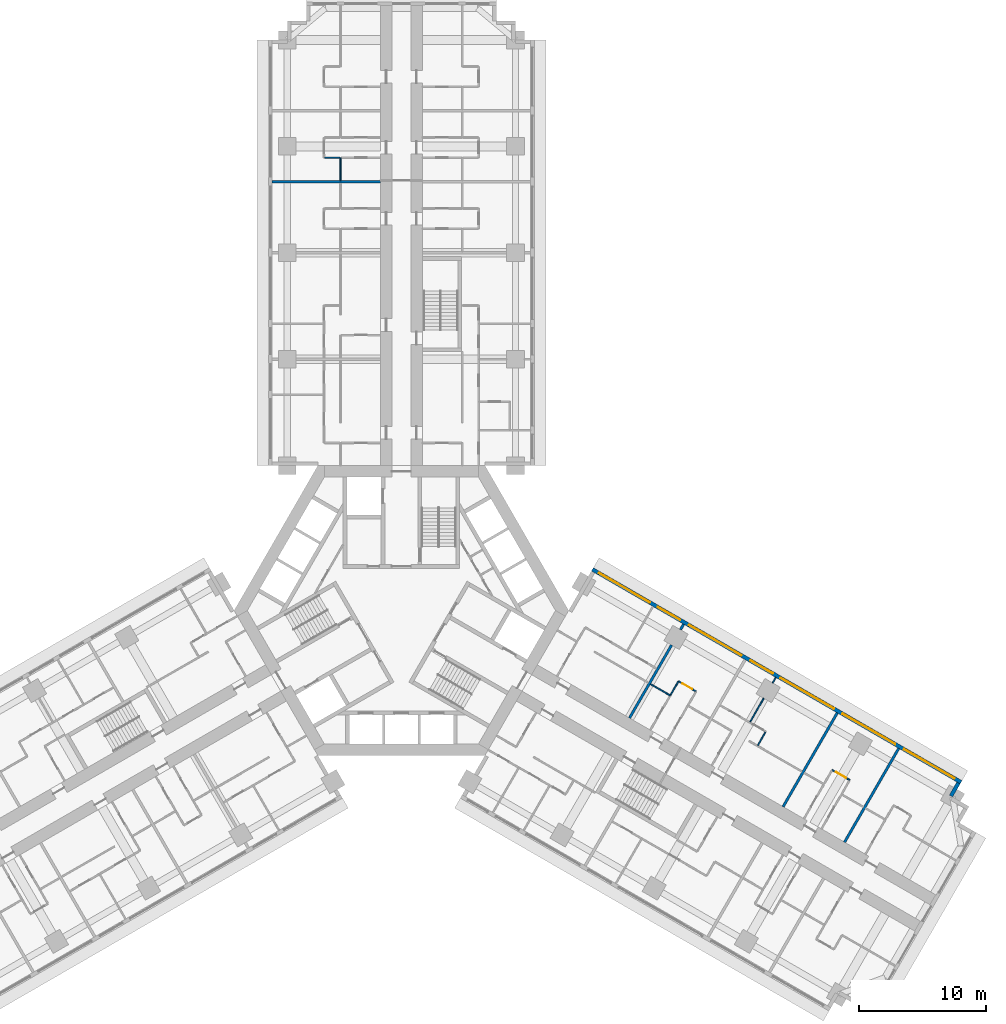
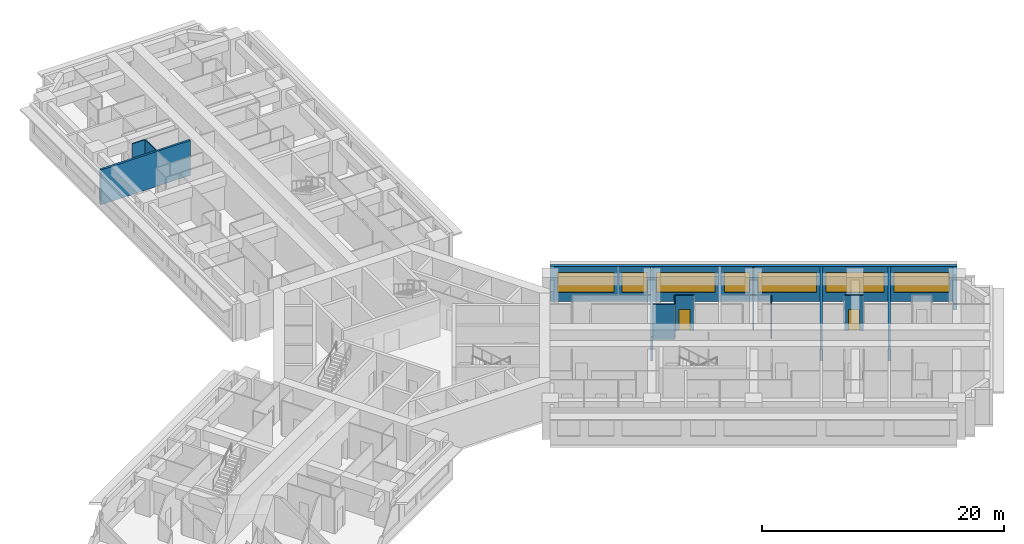
# One storey, part 13 of 16: 16 walls, 7 windows, 2 doors, 9 openings.
"""IFC4 building model written with IfcOpenShell, lengths in metres."""

from ifc_helpers import new_model, si_unit, direction, frame, frame_2d, origin, place, context, subcontext, project, spatial, rectangle, extrude, material, layer, layer_set, type_object, element, fill, save


model = new_model("IFC4")

# Units and contexts
model_context = context("Model", 3, precision=1e-05, world=origin(), true_north=direction((0.0, 1.0)))
body_context = subcontext(model_context, "Body", "Model", "MODEL_VIEW")
ifc_project = project(units=[si_unit("LENGTHUNIT", "METRE"), si_unit("AREAUNIT", "SQUARE_METRE"), si_unit("VOLUMEUNIT", "CUBIC_METRE"), si_unit("PLANEANGLEUNIT", "RADIAN"), si_unit("MASSUNIT", "GRAM", prefix="KILO")], contexts=[model_context])

# Site, building, storey
site_placement = place(None, origin())
site = spatial("IfcSite", under=ifc_project, at=site_placement, CompositionType="ELEMENT")
building_placement = place(site_placement, origin())
building = spatial("IfcBuilding", under=site, at=building_placement, Name="Impinga Residences", CompositionType="ELEMENT")
storey_placement = place(building_placement, frame((0.0, 0.0, 56.0)))
storey = spatial("IfcBuildingStorey", under=building, at=storey_placement, Name="L13", CompositionType="ELEMENT", Elevation=56.0)

# Wall, openings, windows
ifc_material_1 = material(Name="Terracotta rainscreen on blockwork", Category="masonry")
ifc_layer_1 = layer(ifc_material_1, 0.300048828125)
ifc_layer_set_1 = layer_set([ifc_layer_1], Name="EW1 external wall, terracotta rainscreen on blockwork 300")
wall_type_1 = type_object("IfcWallType", Name="EW1 external wall, terracotta rainscreen on blockwork 300", PredefinedType="SOLIDWALL", material=ifc_layer_set_1)
wall_1_placement = place(storey_placement, frame((15.074951171875, 3.24755859375, 0.0), z_axis=(0.0, 0.0, 1.0), x_axis=(0.866024291668, -0.500001926238, 0.0)))
wall_1 = element("IfcWall", 1, at=wall_1_placement, inside=storey, type_object=wall_type_1, Name="External wall EW1 L13", PredefinedType="SOLIDWALL", context=body_context, shape_type="SweptSolid", body=[
    extrude(rectangle(XDim=33.599853515625, YDim=0.300048828125, at=frame_2d((16.7998046875, 0.0))), origin(), (0.0, 0.0, 1.0), 3.530029296875),
])
opening_1_placement = place(wall_1_placement, frame((0.60009765625, 0.0, 0.89990234375)))
opening_1 = element("IfcOpeningElement", 2, at=opening_1_placement, cuts=wall_1, Name="Opening W10", PredefinedType="OPENING", context=body_context, shape_type="SweptSolid", body=[
    extrude(rectangle(XDim=4.64990234375, YDim=2.050048828125, at=frame_2d((2.324951171875, 1.02490234375))), frame((0.0, 0.159912109375, 0.0), z_axis=(0.0, -1.0, 0.0), x_axis=(1.0, 0.0, 0.0)), (0.0, 0.0, 1.0), 0.320068359375),
])
opening_2_placement = place(wall_1_placement, frame((5.949951171875, 0.0, 0.89990234375)))
opening_2 = element("IfcOpeningElement", 3, at=opening_2_placement, cuts=wall_1, Name="Opening W14", PredefinedType="OPENING", context=body_context, shape_type="SweptSolid", body=[
    extrude(rectangle(XDim=2.050048828125, YDim=2.050048828125, at=frame_2d((1.02490234375, 1.02490234375))), frame((0.0, 0.159912109375, 0.0), z_axis=(0.0, -1.0, 0.0), x_axis=(1.0, 0.0, 0.0)), (0.0, 0.0, 1.0), 0.320068359375),
])
opening_3_placement = place(wall_1_placement, frame((8.800048828125, 0.0, 0.89990234375)))
opening_3 = element("IfcOpeningElement", 4, at=opening_3_placement, cuts=wall_1, Name="Opening W8", PredefinedType="OPENING", context=body_context, shape_type="SweptSolid", body=[
    extrude(rectangle(XDim=4.800048828125, YDim=2.050048828125, at=frame_2d((2.39990234375, 1.02490234375))), frame((0.0, 0.159912109375, 0.0), z_axis=(0.0, -1.0, 0.0), x_axis=(1.0, 0.0, 0.0)), (0.0, 0.0, 1.0), 0.320068359375),
])
opening_4_placement = place(wall_1_placement, frame((14.39990234375, 0.0, 0.89990234375)))
opening_4 = element("IfcOpeningElement", 5, at=opening_4_placement, cuts=wall_1, Name="Opening W14", PredefinedType="OPENING", context=body_context, shape_type="SweptSolid", body=[
    extrude(rectangle(XDim=2.050048828125, YDim=2.050048828125, at=frame_2d((1.02490234375, 1.02490234375))), frame((0.0, 0.159912109375, 0.0), z_axis=(0.0, -1.0, 0.0), x_axis=(1.0, 0.0, 0.0)), (0.0, 0.0, 1.0), 0.320068359375),
])
opening_5_placement = place(wall_1_placement, frame((17.14990234375, 0.0, 0.89990234375)))
opening_5 = element("IfcOpeningElement", 6, at=opening_5_placement, cuts=wall_1, Name="Opening W6", PredefinedType="OPENING", context=body_context, shape_type="SweptSolid", body=[
    extrude(rectangle(XDim=4.85009765625, YDim=2.050048828125, at=frame_2d((2.425048828125, 1.02490234375))), frame((0.0, 0.159912109375, 0.0), z_axis=(0.0, -1.0, 0.0), x_axis=(1.0, 0.0, 0.0)), (0.0, 0.0, 1.0), 0.320068359375),
])
opening_6_placement = place(wall_1_placement, frame((22.800048828125, 0.0, 0.89990234375)))
opening_6 = element("IfcOpeningElement", 7, at=opening_6_placement, cuts=wall_1, Name="Opening W8", PredefinedType="OPENING", context=body_context, shape_type="SweptSolid", body=[
    extrude(rectangle(XDim=4.800048828125, YDim=2.050048828125, at=frame_2d((2.39990234375, 1.02490234375))), frame((0.0, 0.159912109375, 0.0), z_axis=(0.0, -1.0, 0.0), x_axis=(1.0, 0.0, 0.0)), (0.0, 0.0, 1.0), 0.320068359375),
])
opening_7_placement = place(wall_1_placement, frame((28.39990234375, 0.0, 0.89990234375)))
opening_7 = element("IfcOpeningElement", 8, at=opening_7_placement, cuts=wall_1, Name="Opening W3", PredefinedType="OPENING", context=body_context, shape_type="SweptSolid", body=[
    extrude(rectangle(XDim=4.60009765625, YDim=2.050048828125, at=frame_2d((2.300048828125, 1.02490234375))), frame((0.0, 0.159912109375, 0.0), z_axis=(0.0, -1.0, 0.0), x_axis=(1.0, 0.0, 0.0)), (0.0, 0.0, 1.0), 0.320068359375),
])
ifc_material_2 = material(Name="Aluminium window, clear double glazing", Category="aluminium")
window_type_1 = type_object("IfcWindowType", Name="W10 ribbon window 4650x2050", PartitioningType="SINGLE_PANEL", PredefinedType="WINDOW", material=ifc_material_2)
window_1_placement = place(opening_1_placement, origin())
window_1 = element("IfcWindow", 9, at=window_1_placement, inside=storey, type_object=window_type_1, Name="Window L13", OverallHeight=2.050048828125, OverallWidth=4.64990234375, PartitioningType="SINGLE_PANEL", PredefinedType="WINDOW", context=body_context, shape_type="SweptSolid", body=[
    extrude(rectangle(XDim=4.64990234375, YDim=2.050048828125, at=frame_2d((2.324951171875, 1.02490234375))), frame((0.0, 0.030029296875, 0.0), z_axis=(0.0, -1.0, 0.0), x_axis=(1.0, 0.0, 0.0)), (0.0, 0.0, 1.0), 0.06005859375),
])
fill(opening_1, window_1)
window_type_2 = type_object("IfcWindowType", Name="W14 ribbon window 2050x2050", PartitioningType="SINGLE_PANEL", PredefinedType="WINDOW", material=ifc_material_2)
window_2_placement = place(opening_2_placement, origin())
window_2 = element("IfcWindow", 10, at=window_2_placement, inside=storey, type_object=window_type_2, Name="Window L13", OverallHeight=2.050048828125, OverallWidth=2.050048828125, PartitioningType="SINGLE_PANEL", PredefinedType="WINDOW", context=body_context, shape_type="SweptSolid", body=[
    extrude(rectangle(XDim=2.050048828125, YDim=2.050048828125, at=frame_2d((1.02490234375, 1.02490234375))), frame((0.0, 0.030029296875, 0.0), z_axis=(0.0, -1.0, 0.0), x_axis=(1.0, 0.0, 0.0)), (0.0, 0.0, 1.0), 0.06005859375),
])
fill(opening_2, window_2)
window_3_placement = place(opening_4_placement, origin())
window_3 = element("IfcWindow", 11, at=window_3_placement, inside=storey, type_object=window_type_2, Name="Window L13", OverallHeight=2.050048828125, OverallWidth=2.050048828125, PartitioningType="SINGLE_PANEL", PredefinedType="WINDOW", context=body_context, shape_type="SweptSolid", body=[
    extrude(rectangle(XDim=2.050048828125, YDim=2.050048828125, at=frame_2d((1.02490234375, 1.02490234375))), frame((0.0, 0.030029296875, 0.0), z_axis=(0.0, -1.0, 0.0), x_axis=(1.0, 0.0, 0.0)), (0.0, 0.0, 1.0), 0.06005859375),
])
fill(opening_4, window_3)
window_type_3 = type_object("IfcWindowType", Name="W3 ribbon window 4600x2050", PartitioningType="SINGLE_PANEL", PredefinedType="WINDOW", material=ifc_material_2)
window_4_placement = place(opening_7_placement, origin())
window_4 = element("IfcWindow", 12, at=window_4_placement, inside=storey, type_object=window_type_3, Name="Window L13", OverallHeight=2.050048828125, OverallWidth=4.60009765625, PartitioningType="SINGLE_PANEL", PredefinedType="WINDOW", context=body_context, shape_type="SweptSolid", body=[
    extrude(rectangle(XDim=4.60009765625, YDim=2.050048828125, at=frame_2d((2.300048828125, 1.02490234375))), frame((0.0, 0.030029296875, 0.0), z_axis=(0.0, -1.0, 0.0), x_axis=(1.0, 0.0, 0.0)), (0.0, 0.0, 1.0), 0.06005859375),
])
fill(opening_7, window_4)
window_type_4 = type_object("IfcWindowType", Name="W6 ribbon window 4850x2050", PartitioningType="SINGLE_PANEL", PredefinedType="WINDOW", material=ifc_material_2)
window_5_placement = place(opening_5_placement, origin())
window_5 = element("IfcWindow", 13, at=window_5_placement, inside=storey, type_object=window_type_4, Name="Window L13", OverallHeight=2.050048828125, OverallWidth=4.85009765625, PartitioningType="SINGLE_PANEL", PredefinedType="WINDOW", context=body_context, shape_type="SweptSolid", body=[
    extrude(rectangle(XDim=4.85009765625, YDim=2.050048828125, at=frame_2d((2.425048828125, 1.02490234375))), frame((0.0, 0.030029296875, 0.0), z_axis=(0.0, -1.0, 0.0), x_axis=(1.0, 0.0, 0.0)), (0.0, 0.0, 1.0), 0.06005859375),
])
fill(opening_5, window_5)
window_type_5 = type_object("IfcWindowType", Name="W8 ribbon window 4800x2050", PartitioningType="SINGLE_PANEL", PredefinedType="WINDOW", material=ifc_material_2)
window_6_placement = place(opening_3_placement, origin())
window_6 = element("IfcWindow", 14, at=window_6_placement, inside=storey, type_object=window_type_5, Name="Window L13", OverallHeight=2.050048828125, OverallWidth=4.800048828125, PartitioningType="SINGLE_PANEL", PredefinedType="WINDOW", context=body_context, shape_type="SweptSolid", body=[
    extrude(rectangle(XDim=4.800048828125, YDim=2.050048828125, at=frame_2d((2.39990234375, 1.02490234375))), frame((0.0, 0.030029296875, 0.0), z_axis=(0.0, -1.0, 0.0), x_axis=(1.0, 0.0, 0.0)), (0.0, 0.0, 1.0), 0.06005859375),
])
fill(opening_3, window_6)
window_7_placement = place(opening_6_placement, origin())
window_7 = element("IfcWindow", 15, at=window_7_placement, inside=storey, type_object=window_type_5, Name="Window L13", OverallHeight=2.050048828125, OverallWidth=4.800048828125, PartitioningType="SINGLE_PANEL", PredefinedType="WINDOW", context=body_context, shape_type="SweptSolid", body=[
    extrude(rectangle(XDim=4.800048828125, YDim=2.050048828125, at=frame_2d((2.39990234375, 1.02490234375))), frame((0.0, 0.030029296875, 0.0), z_axis=(0.0, -1.0, 0.0), x_axis=(1.0, 0.0, 0.0)), (0.0, 0.0, 1.0), 0.06005859375),
])
fill(opening_6, window_7)

# Walls
wall_2_placement = place(storey_placement, frame((43.968505859375, -13.607421875, 0.0), z_axis=(0.0, 0.0, 1.0), x_axis=(-0.500029051137, -0.866008630453, 0.0)))
element("IfcWall", 16, at=wall_2_placement, inside=storey, type_object=wall_type_1, Name="External wall EW1 L13", PredefinedType="SOLIDWALL", context=body_context, shape_type="SweptSolid", body=[
    extrude(rectangle(XDim=1.19482421875, YDim=0.300048828125, at=frame_2d((0.597412109375, 0.0))), origin(), (0.0, 0.0, 1.0), 3.530029296875),
])
ifc_material_3 = material(Name="Gypsum board on steel studs", Category="steel")
ifc_layer_2 = layer(ifc_material_3, 0.10009765625)
ifc_layer_set_2 = layer_set([ifc_layer_2], Name="Gypsum board on steel studs")
wall_type_2 = type_object("IfcWallType", Name="IP1 partition 100", PredefinedType="PARTITIONING", material=ifc_layer_set_2)
wall_3_placement = place(storey_placement, frame((-4.800048828125, 33.931640625, 0.0), z_axis=(0.0, 0.0, 1.0), x_axis=(0.0, 1.0, 0.0)))
element("IfcWall", 17, at=wall_3_placement, inside=storey, type_object=wall_type_2, Name="Partition L13-NA4:DIV0", PredefinedType="PARTITIONING", context=body_context, shape_type="SweptSolid", body=[
    extrude(rectangle(XDim=1.7998046875, YDim=0.10009765625, at=frame_2d((0.89990234375, 0.0))), origin(), (0.0, 0.0, 1.0), 3.530029296875),
])
wall_4_placement = place(storey_placement, frame((-4.85009765625, 35.7314453125, 0.0), z_axis=(0.0, 0.0, 1.0), x_axis=(-1.0, 0.0, 0.0)))
element("IfcWall", 18, at=wall_4_placement, inside=storey, type_object=wall_type_2, Name="Partition L13-NA4:SE0", PredefinedType="PARTITIONING", context=body_context, shape_type="SweptSolid", body=[
    extrude(rectangle(XDim=1.199951171875, YDim=0.10009765625, at=frame_2d((0.60009765625, 0.0))), origin(), (0.0, 0.0, 1.0), 3.530029296875),
])
wall_5_placement = place(storey_placement, frame((19.6611328125, -5.808837890625, 0.0), z_axis=(0.0, 0.0, 1.0), x_axis=(0.866047807691, -0.499961193289, 0.0)))
element("IfcWall", 19, at=wall_5_placement, inside=storey, type_object=wall_type_2, Name="Partition L13-EA2:DIV0", PredefinedType="PARTITIONING", context=body_context, shape_type="SweptSolid", body=[
    extrude(rectangle(XDim=1.800048828125, YDim=0.10009765625, at=frame_2d((0.89990234375, 0.0))), origin(), (0.0, 0.0, 1.0), 3.530029296875),
])

# Wall, opening, door
wall_6_placement = place(storey_placement, frame((21.8701171875, -5.5830078125, 0.0), z_axis=(0.0, 0.0, 1.0), x_axis=(0.865989903783, -0.500061482766, 0.0)))
wall_6 = element("IfcWall", 20, at=wall_6_placement, inside=storey, type_object=wall_type_2, Name="Partition L13-EA2:STRIP", PredefinedType="PARTITIONING", context=body_context, shape_type="SweptSolid", body=[
    extrude(rectangle(XDim=1.599853515625, YDim=0.10009765625, at=frame_2d((0.7998046875, 0.0))), origin(), (0.0, 0.0, 1.0), 3.530029296875),
])
opening_8_placement = place(wall_6_placement, frame((0.35009765625, 0.0, 0.0)))
opening_8 = element("IfcOpeningElement", 21, at=opening_8_placement, cuts=wall_6, Name="Opening D2", PredefinedType="OPENING", context=body_context, shape_type="SweptSolid", body=[
    extrude(rectangle(XDim=0.89990234375, YDim=2.10009765625, at=frame_2d((0.449951171875, 1.050048828125))), frame((0.0, 0.06005859375, 0.0), z_axis=(0.0, -1.0, 0.0), x_axis=(1.0, 0.0, 0.0)), (0.0, 0.0, 1.0), 0.1201171875),
])
ifc_material_4 = material(Name="Timber door set", Category="wood")
door_type = type_object("IfcDoorType", Name="D2 internal door 900x2100", OperationType="SINGLE_SWING_LEFT", PredefinedType="DOOR", material=ifc_material_4)
door_1_placement = place(opening_8_placement, origin())
door_1 = element("IfcDoor", 22, at=door_1_placement, inside=storey, type_object=door_type, Name="Apartment L13-EA2 room door", OperationType="SINGLE_SWING_LEFT", OverallHeight=2.10009765625, OverallWidth=0.89990234375, PredefinedType="DOOR", context=body_context, shape_type="SweptSolid", body=[
    extrude(rectangle(XDim=0.89990234375, YDim=2.10009765625, at=frame_2d((0.449951171875, 1.050048828125))), frame((0.0, 0.02490234375, 0.0), z_axis=(0.0, -1.0, 0.0), x_axis=(1.0, 0.0, 0.0)), (0.0, 0.0, 1.0), 0.050048828125),
])
fill(opening_8, door_1)

# Walls
wall_7_placement = place(storey_placement, frame((21.2451171875, -6.66552734375, 0.0), z_axis=(0.0, 0.0, 1.0), x_axis=(0.499880961361, 0.866094119867, 0.0)))
element("IfcWall", 23, at=wall_7_placement, inside=storey, type_object=wall_type_2, Name="Partition L13-EA2:SE0", PredefinedType="PARTITIONING", context=body_context, shape_type="SweptSolid", body=[
    extrude(rectangle(XDim=1.199951171875, YDim=0.10009765625, at=frame_2d((0.60009765625, 0.0))), origin(), (0.0, 0.0, 1.0), 3.530029296875),
])
wall_8_placement = place(storey_placement, frame((28.1298828125, -10.640625, 0.0), z_axis=(0.0, 0.0, 1.0), x_axis=(0.500033551112, 0.866006032174, 0.0)))
element("IfcWall", 24, at=wall_8_placement, inside=storey, type_object=wall_type_2, Name="Partition L13-EA3:SE1", PredefinedType="PARTITIONING", context=body_context, shape_type="SweptSolid", body=[
    extrude(rectangle(XDim=1.2001953125, YDim=0.10009765625, at=frame_2d((0.60009765625, 0.0))), origin(), (0.0, 0.0, 1.0), 3.530029296875),
])
wall_9_placement = place(storey_placement, frame((27.524169921875, -8.789794921875, 0.0), z_axis=(0.0, 0.0, 1.0), x_axis=(0.499961633463, 0.866047553582, 0.0)))
element("IfcWall", 25, at=wall_9_placement, inside=storey, type_object=wall_type_2, Name="Partition L13-EA3:OB1", PredefinedType="PARTITIONING", context=body_context, shape_type="SweptSolid", body=[
    extrude(rectangle(XDim=2.150146484375, YDim=0.10009765625, at=frame_2d((1.0751953125, 0.0))), origin(), (0.0, 0.0, 1.0), 2.47998046875),
])
wall_10_placement = place(storey_placement, frame((29.29931640625, -5.71533203125, 0.0), z_axis=(0.0, 0.0, 1.0), x_axis=(0.499919672301, 0.866071776036, 0.0)))
element("IfcWall", 26, at=wall_10_placement, inside=storey, type_object=wall_type_2, Name="Partition L13-EA3:OB1b", PredefinedType="PARTITIONING", context=body_context, shape_type="SweptSolid", body=[
    extrude(rectangle(XDim=0.5, YDim=0.10009765625, at=frame_2d((0.25, 0.0))), origin(), (0.0, 0.0, 1.0), 3.530029296875),
])

# Wall, opening, door
wall_11_placement = place(storey_placement, frame((33.994384765625, -12.5830078125, 0.0), z_axis=(0.0, 0.0, 1.0), x_axis=(0.866028054938, -0.499995408039, 0.0)))
wall_11 = element("IfcWall", 27, at=wall_11_placement, inside=storey, type_object=wall_type_2, Name="Partition L13-EA4:STRIP", PredefinedType="PARTITIONING", context=body_context, shape_type="SweptSolid", body=[
    extrude(rectangle(XDim=1.60009765625, YDim=0.10009765625, at=frame_2d((0.800048828125, 0.0))), origin(), (0.0, 0.0, 1.0), 3.530029296875),
])
opening_9_placement = place(wall_11_placement, frame((0.35009765625, 0.0, 0.0)))
opening_9 = element("IfcOpeningElement", 28, at=opening_9_placement, cuts=wall_11, Name="Opening D2", PredefinedType="OPENING", context=body_context, shape_type="SweptSolid", body=[
    extrude(rectangle(XDim=0.89990234375, YDim=2.10009765625, at=frame_2d((0.449951171875, 1.050048828125))), frame((0.0, 0.06005859375, 0.0), z_axis=(0.0, -1.0, 0.0), x_axis=(1.0, 0.0, 0.0)), (0.0, 0.0, 1.0), 0.1201171875),
])
door_2_placement = place(opening_9_placement, origin())
door_2 = element("IfcDoor", 29, at=door_2_placement, inside=storey, type_object=door_type, Name="Apartment L13-EA4 room door", OperationType="SINGLE_SWING_LEFT", OverallHeight=2.10009765625, OverallWidth=0.89990234375, PredefinedType="DOOR", context=body_context, shape_type="SweptSolid", body=[
    extrude(rectangle(XDim=0.89990234375, YDim=2.10009765625, at=frame_2d((0.449951171875, 1.050048828125))), frame((0.0, 0.02490234375, 0.0), z_axis=(0.0, -1.0, 0.0), x_axis=(1.0, 0.0, 0.0)), (0.0, 0.0, 1.0), 0.050048828125),
])
fill(opening_9, door_2)

# Walls
ifc_material_5 = material(Name="Concrete blockwork", Category="masonry")
ifc_layer_3 = layer(ifc_material_5, 0.199951171875)
ifc_layer_set_3 = layer_set([ifc_layer_3], Name="PW1 party wall between apartments 200")
wall_type_3 = type_object("IfcWallType", Name="PW1 party wall between apartments 200", PredefinedType="SOLIDWALL", material=ifc_layer_set_3)
wall_12_placement = place(storey_placement, frame((-1.64990234375, 33.83154296875, 0.0), z_axis=(0.0, 0.0, 1.0), x_axis=(-1.0, 0.0, 0.0)))
element("IfcWall", 30, at=wall_12_placement, inside=storey, type_object=wall_type_3, Name="Party wall between apartments L13-NA3:PARTY", PredefinedType="SOLIDWALL", context=body_context, shape_type="SweptSolid", body=[
    extrude(rectangle(XDim=8.550048828125, YDim=0.199951171875, at=frame_2d((4.27490234375, 0.0))), origin(), (0.0, 0.0, 1.0), 3.530029296875),
])
wall_13_placement = place(storey_placement, frame((17.99951171875, -8.48681640625, 0.0), z_axis=(0.0, 0.0, 1.0), x_axis=(0.500024353964, 0.86601134256, 0.0)))
element("IfcWall", 31, at=wall_13_placement, inside=storey, type_object=wall_type_3, Name="Party wall between apartments L13-EA1:PARTY", PredefinedType="SOLIDWALL", context=body_context, shape_type="SweptSolid", body=[
    extrude(rectangle(XDim=6.650146484375, YDim=0.199951171875, at=frame_2d((3.3251953125, 0.0))), origin(), (0.0, 0.0, 1.0), 2.47998046875),
])
wall_14_placement = place(storey_placement, frame((22.024658203125, -1.515380859375, 0.0), z_axis=(0.0, 0.0, 1.0), x_axis=(0.499919672301, 0.866071776036, 0.0)))
element("IfcWall", 32, at=wall_14_placement, inside=storey, type_object=wall_type_3, Name="Party wall between apartments L13-EA1:PARTYb", PredefinedType="SOLIDWALL", context=body_context, shape_type="SweptSolid", body=[
    extrude(rectangle(XDim=0.5, YDim=0.199951171875, at=frame_2d((0.25, 0.0))), origin(), (0.0, 0.0, 1.0), 3.530029296875),
])
for number, where, z_axis, x_axis, name in (
    (33, (30.1240234375, -15.48681640625, 0.0), (0.0, 0.0, 1.0), (0.499990227581, 0.86603104582, 0.0), "Party wall between apartments L13-EA3:PARTY"),
    (34, (34.9736328125, -18.286865234375, 0.0), (0.0, 0.0, 1.0), (0.500011643316, 0.866018681408, 0.0), "Party wall between apartments L13-EA4:PARTY"),
):
    element("IfcWall", number, at=place(storey_placement, frame(where, z_axis=z_axis, x_axis=x_axis)), inside=storey, type_object=wall_type_3, Name=name, PredefinedType="SOLIDWALL", context=body_context, shape_type="SweptSolid", body=[
        extrude(rectangle(XDim=8.550048828125, YDim=0.199951171875, at=frame_2d((4.27490234375, 0.0))), origin(), (0.0, 0.0, 1.0), 3.530029296875),
    ])

save(model, "model.ifc")
